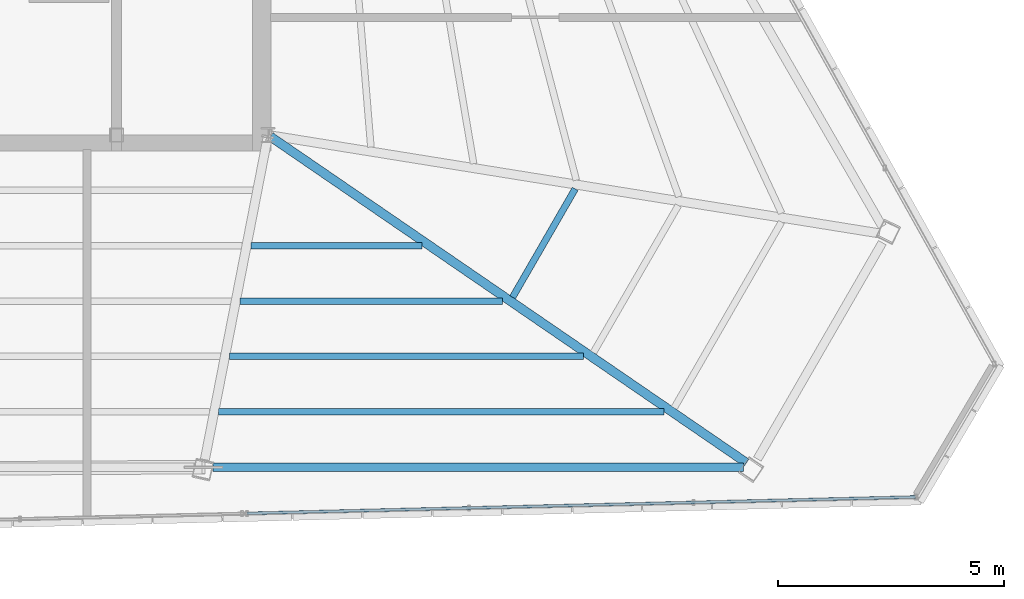
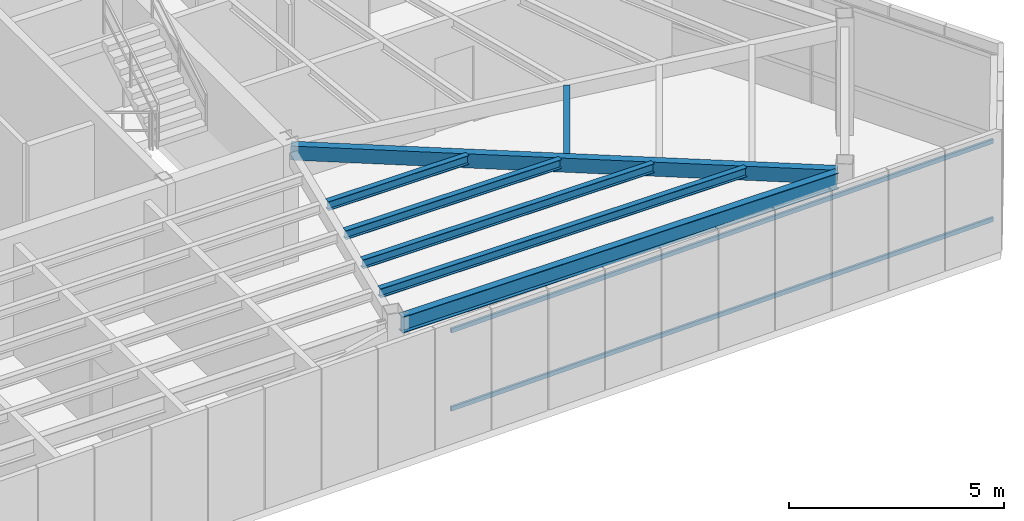
# One storey, part 22 of 44: 7 beams, 2 members, 1 element without a shape of its own.
"""IFC4 building model written with IfcOpenShell, lengths in metres."""

from ifc_helpers import new_model, si_unit, direction, frame, origin, origin_2d, place, context, subcontext, project, spatial, hollow_rectangle, i_section, extrude, source, transform, mapped, material, material_profile, profile_set, type_object, type_shapes, element, aggregate, save


model = new_model("IFC4")

# Units and contexts
model_context = context("Model", 3, precision=1e-05, world=origin(), true_north=direction((0.0, 1.0)))
body_context = subcontext(model_context, "Body", "Model", "MODEL_VIEW")
ifc_project = project(units=[si_unit("LENGTHUNIT", "METRE"), si_unit("AREAUNIT", "SQUARE_METRE"), si_unit("VOLUMEUNIT", "CUBIC_METRE"), si_unit("PLANEANGLEUNIT", "RADIAN"), si_unit("MASSUNIT", "GRAM", prefix="KILO")], contexts=[model_context])

# Site, building, storey
site_placement = place(None, origin())
site = spatial("IfcSite", under=ifc_project, at=site_placement, CompositionType="ELEMENT")
building_placement = place(site_placement, origin())
building = spatial("IfcBuilding", under=site, at=building_placement, Name="Caelisora Broadcast Tower", CompositionType="ELEMENT")
storey_placement = place(building_placement, frame((0.0, 0.0, 289.800048828125)))
storey = spatial("IfcBuildingStorey", under=building, at=storey_placement, Name="L76", CompositionType="ELEMENT", Elevation=289.800048828125)

# Beams
ifc_material_1 = material(Name="Steel Grade 350 (AS/NZS 3679.1)", Category="steel")
ifc_material_profile_1 = material_profile(ifc_material_1, i_section(OverallWidth=0.19091796875, OverallDepth=0.46044921875, WebThickness=0.010009765625, FlangeThickness=0.01611328125, at=origin_2d()), Name="Steel Grade 350 (AS/NZS 3679.1)")
ifc_profile_set_1 = profile_set([ifc_material_profile_1], Name="Steel Grade 350 (AS/NZS 3679.1)")
beam_type_1 = type_object("IfcBeamType", Name="PG06", PredefinedType="BEAM", material=ifc_profile_set_1)
shared_shape_1 = source(origin(), body_context, "Body", "SweptSolid", [
    extrude(i_section(OverallWidth=0.19091796875, OverallDepth=0.46044921875, WebThickness=0.010009765625, FlangeThickness=0.01611328125, at=origin_2d()), origin(), (0.0, 0.0, 1.0), 11.7236328125),
])
type_shapes(beam_type_1, [shared_shape_1])
beam_1_placement = place(storey_placement, frame((44.27783203125, 10.060791015625, 2.919677734375), z_axis=(1.0, 0.0, 0.0), x_axis=(0.0, 1.0, 0.0)))
element("IfcBeam", 1, at=beam_1_placement, inside=storey, type_object=beam_type_1, Name="L76 beam PG06", PredefinedType="BEAM", context=body_context, shape_type="MappedRepresentation", body=[
    mapped(shared_shape_1, transform((0.0, 0.0, 0.0), scale=1.0)),
])
ifc_material_2 = material(Name="Steel Grade 350 (AS/NZS 1163 C350L0)", Category="steel")
ifc_material_profile_2 = material_profile(ifc_material_2, hollow_rectangle(XDim=0.199951171875, YDim=0.39990234375, WallThickness=0.012451171875, at=origin_2d()), Name="Steel Grade 350 (AS/NZS 1163 C350L0)")
ifc_profile_set_2 = profile_set([ifc_material_profile_2], Name="Steel Grade 350 (AS/NZS 1163 C350L0)")
beam_type_2 = type_object("IfcBeamType", Name="PG07", PredefinedType="BEAM", material=ifc_profile_set_2)
shared_shape_2 = source(origin(), body_context, "Body", "SweptSolid", [
    extrude(hollow_rectangle(XDim=0.199951171875, YDim=0.39990234375, WallThickness=0.012451171875, at=origin_2d()), origin(), (0.0, 0.0, 1.0), 12.7548828125),
])
type_shapes(beam_type_2, [shared_shape_2])
beam_2_placement = place(storey_placement, frame((45.549560546875, 17.3662109375, 2.949951171875), z_axis=(0.824879314525, -0.565308868203, 0.0), x_axis=(0.565308868203, 0.824879314525, 0.0)))
element("IfcBeam", 2, at=beam_2_placement, inside=storey, type_object=beam_type_2, Name="L76 beam PG07", PredefinedType="BEAM", context=body_context, shape_type="MappedRepresentation", body=[
    mapped(shared_shape_2, transform((0.0, 0.0, 0.0), scale=1.0)),
])
ifc_material_profile_3 = material_profile(ifc_material_1, i_section(OverallWidth=0.14599609375, OverallDepth=0.256103515625, WebThickness=0.00634765625, FlangeThickness=0.010986328125, at=origin_2d()), Name="Steel Grade 350 (AS/NZS 3679.1)")
ifc_profile_set_3 = profile_set([ifc_material_profile_3], Name="Steel Grade 350 (AS/NZS 3679.1)")
beam_type_3 = type_object("IfcBeamType", Name="SB04", PredefinedType="JOIST", material=ifc_profile_set_3)
shared_shape_3 = source(origin(), body_context, "Body", "SweptSolid", [
    extrude(i_section(OverallWidth=0.14599609375, OverallDepth=0.256103515625, WebThickness=0.00634765625, FlangeThickness=0.010986328125, at=origin_2d()), origin(), (0.0, 0.0, 1.0), 2.765625),
])
beam_3_placement = place(storey_placement, frame((50.9033203125, 13.814697265625, 3.02197265625), z_axis=(0.500012835235, 0.866017993231, 0.0), x_axis=(-0.866017993231, 0.500012835235, 0.0)))
element("IfcBeam", 3, at=beam_3_placement, inside=storey, type_object=beam_type_3, Name="L76 beam SB04", PredefinedType="JOIST", context=body_context, shape_type="MappedRepresentation", body=[
    mapped(shared_shape_3, transform((0.0, 0.0, 0.0), scale=1.0)),
])
shared_shape_4 = source(origin(), body_context, "Body", "SweptSolid", [
    extrude(i_section(OverallWidth=0.14599609375, OverallDepth=0.256103515625, WebThickness=0.00634765625, FlangeThickness=0.010986328125, at=origin_2d()), origin(), (0.0, 0.0, 1.0), 3.773681640625),
])
beam_4_placement = place(storey_placement, frame((45.122314453125, 14.95361328125, 3.02197265625), z_axis=(1.0, 0.0, 0.0), x_axis=(0.0, 1.0, 0.0)))
element("IfcBeam", 4, at=beam_4_placement, inside=storey, type_object=beam_type_3, Name="L76 beam SB04", PredefinedType="JOIST", context=body_context, shape_type="MappedRepresentation", body=[
    mapped(shared_shape_4, transform((0.0, 0.0, 0.0), scale=1.0)),
])
shared_shape_5 = source(origin(), body_context, "Body", "SweptSolid", [
    extrude(i_section(OverallWidth=0.14599609375, OverallDepth=0.256103515625, WebThickness=0.00634765625, FlangeThickness=0.010986328125, at=origin_2d()), origin(), (0.0, 0.0, 1.0), 5.797119140625),
])
beam_5_placement = place(storey_placement, frame((44.8837890625, 13.73046875, 3.02197265625), z_axis=(1.0, 0.0, 0.0), x_axis=(0.0, 1.0, 0.0)))
element("IfcBeam", 5, at=beam_5_placement, inside=storey, type_object=beam_type_3, Name="L76 beam SB04", PredefinedType="JOIST", context=body_context, shape_type="MappedRepresentation", body=[
    mapped(shared_shape_5, transform((0.0, 0.0, 0.0), scale=1.0)),
])
shared_shape_6 = source(origin(), body_context, "Body", "SweptSolid", [
    extrude(i_section(OverallWidth=0.14599609375, OverallDepth=0.256103515625, WebThickness=0.00634765625, FlangeThickness=0.010986328125, at=origin_2d()), origin(), (0.0, 0.0, 1.0), 7.8203125),
])
beam_6_placement = place(storey_placement, frame((44.6455078125, 12.507080078125, 3.02197265625), z_axis=(1.0, 0.0, 0.0), x_axis=(0.0, 1.0, 0.0)))
element("IfcBeam", 6, at=beam_6_placement, inside=storey, type_object=beam_type_3, Name="L76 beam SB04", PredefinedType="JOIST", context=body_context, shape_type="MappedRepresentation", body=[
    mapped(shared_shape_6, transform((0.0, 0.0, 0.0), scale=1.0)),
])
shared_shape_7 = source(origin(), body_context, "Body", "SweptSolid", [
    extrude(i_section(OverallWidth=0.14599609375, OverallDepth=0.256103515625, WebThickness=0.00634765625, FlangeThickness=0.010986328125, at=origin_2d()), origin(), (0.0, 0.0, 1.0), 9.84375),
])
type_shapes(beam_type_3, [shared_shape_3, shared_shape_4, shared_shape_5, shared_shape_6, shared_shape_7])
beam_7_placement = place(storey_placement, frame((44.406982421875, 11.283935546875, 3.02197265625), z_axis=(1.0, 0.0, 0.0), x_axis=(0.0, 1.0, 0.0)))
element("IfcBeam", 7, at=beam_7_placement, inside=storey, type_object=beam_type_3, Name="L76 beam SB04", PredefinedType="JOIST", context=body_context, shape_type="MappedRepresentation", body=[
    mapped(shared_shape_7, transform((0.0, 0.0, 0.0), scale=1.0)),
])

# Curtain wall, members
ifc_material_3 = material(Name="Unitised Aluminium Insulated Shadow-Box Spandrel Curtain Wall", Category="aluminium")
curtain_wall_type = type_object("IfcCurtainWallType", Name="CW-SP3", PredefinedType="NOTDEFINED", material=ifc_material_3)
curtain_wall_placement = place(storey_placement, origin())
curtain_wall = element("IfcCurtainWall", 8, at=curtain_wall_placement, inside=storey, type_object=curtain_wall_type, Name="L76 curtain wall CW-SP3", PredefinedType="NOTDEFINED")
ifc_material_4 = material(Name="Aluminium 6063-T6 Anodised Terracotta Bronze", Category="aluminium")
ifc_material_profile_4 = material_profile(ifc_material_4, hollow_rectangle(XDim=0.06005859375, YDim=0.1201171875, WallThickness=0.0029296875, at=origin_2d()), Name="Aluminium 6063-T6 Anodised Terracotta Bronze")
ifc_profile_set_4 = profile_set([ifc_material_profile_4], Name="Aluminium 6063-T6 Anodised Terracotta Bronze")
member_type = type_object("IfcMemberType", Name="CWT-03", PredefinedType="USERDEFINED", material=ifc_profile_set_4)
shared_shape_8 = source(origin(), body_context, "Body", "SweptSolid", [
    extrude(hollow_rectangle(XDim=0.06005859375, YDim=0.1201171875, WallThickness=0.0029296875, at=origin_2d()), origin(), (0.0, 0.0, 1.0), 14.781494140625),
])
type_shapes(member_type, [shared_shape_8])
member_1_placement = place(storey_placement, frame((59.81005859375, 9.40087890625, 0.849853515625), z_axis=(-0.999699164833, -0.02452712442, 0.0), x_axis=(0.02452712442, -0.999699164833, 0.0)))
member_1 = element("IfcMember", 9, at=member_1_placement, type_object=member_type, Name="L76-CW-B05 transom #1", ObjectType="TRANSOM", PredefinedType="USERDEFINED", context=body_context, shape_type="MappedRepresentation", body=[
    mapped(shared_shape_8, transform((0.0, 0.0, 0.0), scale=1.0)),
])
member_2_placement = place(storey_placement, frame((59.81005859375, 9.40087890625, 3.070068359375), z_axis=(-0.999699164833, -0.02452712442, 0.0), x_axis=(0.02452712442, -0.999699164833, 0.0)))
member_2 = element("IfcMember", 10, at=member_2_placement, type_object=member_type, Name="L76-CW-B05 transom #2", ObjectType="TRANSOM", PredefinedType="USERDEFINED", context=body_context, shape_type="MappedRepresentation", body=[
    mapped(shared_shape_8, transform((0.0, 0.0, 0.0), scale=1.0)),
])
aggregate(curtain_wall, [member_1, member_2])

save(model, "model.ifc")
